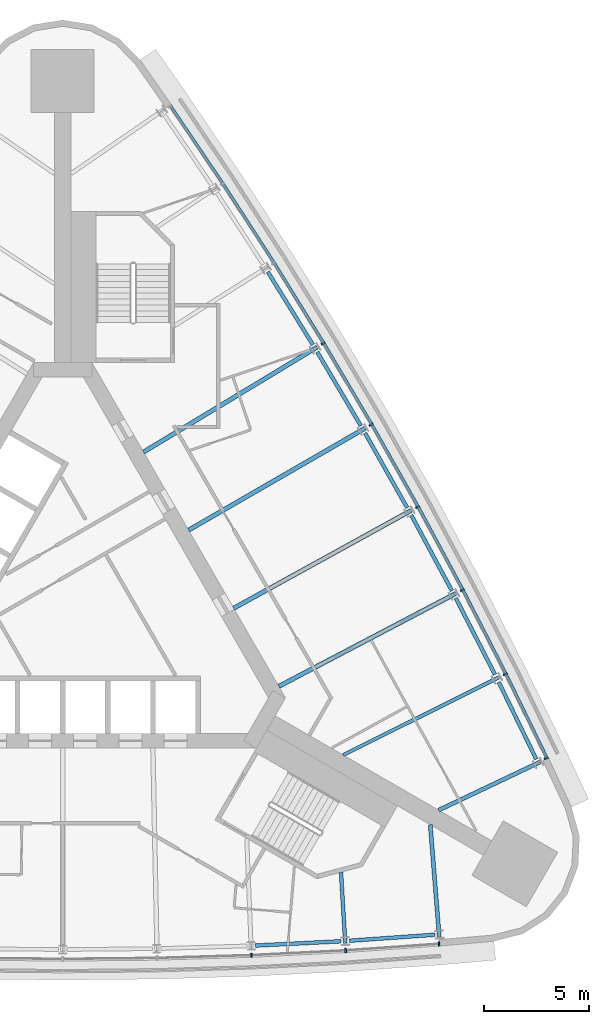
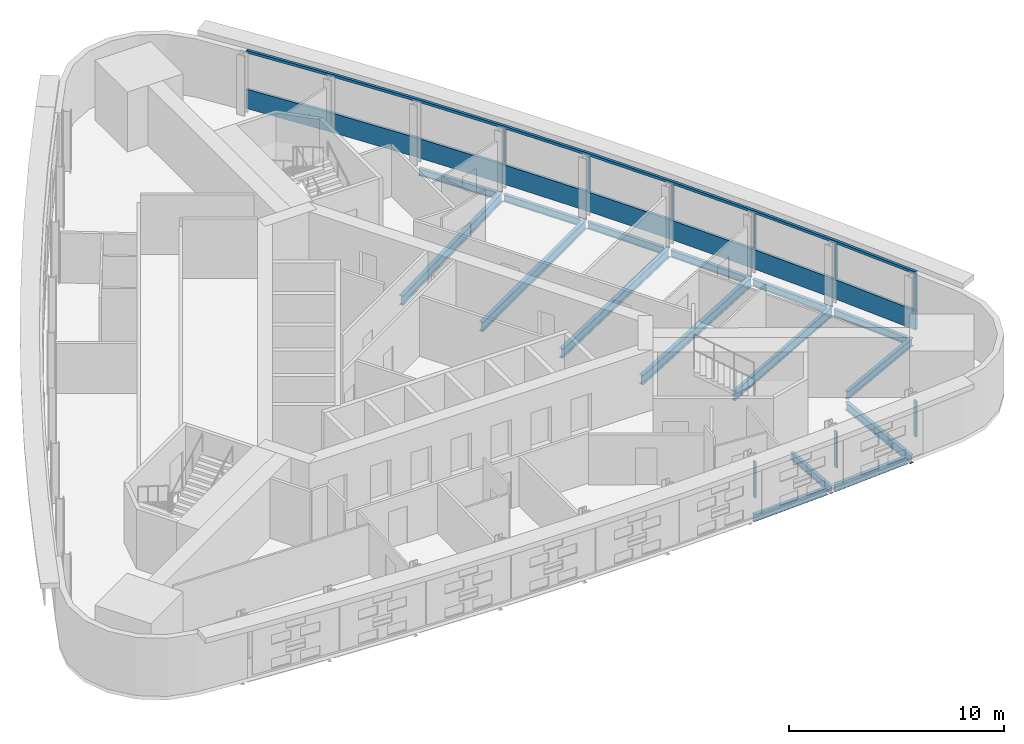
# One storey, part 4 of 11: 16 beams, 11 members, 2 elements without a shape of their own.
"""IFC4 building model written with IfcOpenShell, lengths in metres."""

from ifc_helpers import new_model, si_unit, direction, frame, origin, origin_2d, place, context, subcontext, project, spatial, polyline, rectangle, i_section, outline, extrude, material, material_profile, profile_set, type_object, element, aggregate, save


model = new_model("IFC4")

# Units and contexts
model_context = context("Model", 3, precision=1e-05, world=origin(), true_north=direction((0.0, 1.0)))
body_context = subcontext(model_context, "Body", "Model", "MODEL_VIEW")
ifc_project = project(units=[si_unit("LENGTHUNIT", "METRE"), si_unit("AREAUNIT", "SQUARE_METRE"), si_unit("VOLUMEUNIT", "CUBIC_METRE"), si_unit("PLANEANGLEUNIT", "RADIAN"), si_unit("MASSUNIT", "GRAM", prefix="KILO")], contexts=[model_context])

# Site, building, storey
site_placement = place(None, origin())
site = spatial("IfcSite", under=ifc_project, at=site_placement, CompositionType="ELEMENT")
building_placement = place(site_placement, origin())
building = spatial("IfcBuilding", under=site, at=building_placement, Name="Noor Cloister Tower", CompositionType="ELEMENT")
storey_placement = place(building_placement, frame((0.0, 0.0, 109.5)))
storey = spatial("IfcBuildingStorey", under=building, at=storey_placement, Name="L28", CompositionType="ELEMENT", Elevation=109.5)

# Curtain wall, member
ifc_material_1 = material(Name="Aluminium 6063-T6 anodised", Category="aluminium")
curtain_wall_type = type_object("IfcCurtainWallType", Name="Ribbon curtain wall, lower tower CW1", PredefinedType="NOTDEFINED", material=ifc_material_1)
curtain_wall_1_placement = place(storey_placement, origin())
curtain_wall_1 = element("IfcCurtainWall", 1, at=curtain_wall_1_placement, inside=storey, type_object=curtain_wall_type, Name="CW1 L28 NE run 3", PredefinedType="NOTDEFINED")
ifc_material_2 = material(Name="Aluminium 6063-T6 anodised", Category="aluminium")
member_type_1 = type_object("IfcMemberType", Name="Head transom CW1 150", PredefinedType="USERDEFINED", material=ifc_material_2)
member_1_placement = place(storey_placement, frame((0.0, 0.0, 3.14990234375)))
member_1 = element("IfcMember", 2, at=member_1_placement, type_object=member_type_1, Name="CW1 head transom", ObjectType="TRANSOM", PredefinedType="USERDEFINED", context=body_context, shape_type="SweptSolid", body=[
    extrude(outline(polyline([(23.151611328125, -7.395751953125), (21.180908203125, -3.350341796875), (19.129150390625, 0.65478515625), (16.99755859375, 4.617919921875), (14.786865234375, 8.537353515625), (12.498046875, 12.41162109375), (10.131591796875, 16.239013671875), (7.68896484375, 20.018310546875), (5.1708984375, 23.747802734375), (5.054931640625, 23.66943359375), (7.572265625, 19.941162109375), (10.013427734375, 16.164306640625), (12.378173828125, 12.339111328125), (14.665771484375, 8.46728515625), (16.875, 4.55029296875), (19.00537109375, 0.589599609375), (21.0556640625, -3.412841796875), (23.02587890625, -7.45703125), (23.151611328125, -7.395751953125)])), origin(), (0.0, 0.0, 1.0), 0.150146484375),
])

# Curtain wall, members
curtain_wall_2_placement = place(storey_placement, origin())
curtain_wall_2 = element("IfcCurtainWall", 3, at=curtain_wall_2_placement, inside=storey, type_object=curtain_wall_type, Name="CW1 L28 S run 2", PredefinedType="NOTDEFINED")
ifc_material_3 = material(Name="Aluminium 6063-T6 anodised", Category="aluminium")
ifc_material_profile_1 = material_profile(ifc_material_3, rectangle(XDim=0.199951171875, YDim=0.080078125, at=origin_2d()), Name="200 x 80 mullion")
ifc_profile_set_1 = profile_set([ifc_material_profile_1], Name="Aluminium 6063-T6 anodised")
member_type_2 = type_object("IfcMemberType", Name="Mullion CW1 80 x 200", PredefinedType="MULLION", material=ifc_profile_set_1)
member_2_placement = place(storey_placement, frame((8.99365234375, -16.7939453125, 1.10009765625), z_axis=(0.0, 0.0, 1.0), x_axis=(-0.04014673795, 0.999193794733, 0.0)))
member_2 = element("IfcMember", 4, at=member_2_placement, type_object=member_type_2, Name="CW1 mullion 7", PredefinedType="MULLION", context=body_context, shape_type="SweptSolid", body=[
    extrude(rectangle(XDim=0.199951171875, YDim=0.080078125, at=origin_2d()), origin(), (0.0, 0.0, 1.0), 2.0498046875),
])
member_3_placement = place(storey_placement, frame((13.48583984375, -16.568115234375, 1.10009765625), z_axis=(0.0, 0.0, 1.0), x_axis=(-0.06019986629, 0.998186343374, 0.0)))
member_3 = element("IfcMember", 5, at=member_3_placement, type_object=member_type_2, Name="CW1 mullion 8", PredefinedType="MULLION", context=body_context, shape_type="SweptSolid", body=[
    extrude(rectangle(XDim=0.199951171875, YDim=0.080078125, at=origin_2d()), origin(), (0.0, 0.0, 1.0), 2.0498046875),
])
member_4_placement = place(storey_placement, frame((17.933837890625, -16.255126953125, 1.10009765625), z_axis=(0.0, 0.0, 1.0), x_axis=(-0.070217834452, 0.997531681565, 0.0)))
member_4 = element("IfcMember", 6, at=member_4_placement, type_object=member_type_2, Name="CW1 mullion 9", PredefinedType="MULLION", context=body_context, shape_type="SweptSolid", body=[
    extrude(rectangle(XDim=0.199951171875, YDim=0.080078125, at=origin_2d()), origin(), (0.0, 0.0, 1.0), 2.0498046875),
])
aggregate(curtain_wall_2, [member_2, member_3, member_4])

# Member
member_5_placement = place(storey_placement, frame((23.044189453125, -7.403564453125, 1.10009765625), z_axis=(0.0, 0.0, 1.0), x_axis=(-0.89899669454, -0.437955412348, 0.0)))
member_5 = element("IfcMember", 7, at=member_5_placement, type_object=member_type_2, Name="CW1 mullion 1", PredefinedType="MULLION", context=body_context, shape_type="SweptSolid", body=[
    extrude(rectangle(XDim=0.199951171875, YDim=0.080078125, at=origin_2d()), origin(), (0.0, 0.0, 1.0), 2.0498046875),
])

member_6_placement = place(storey_placement, frame((21.09130859375, -3.39501953125, 1.10009765625), z_axis=(0.0, 0.0, 1.0), x_axis=(-0.894554664218, -0.446958558176, 0.0)))
member_6 = element("IfcMember", 8, at=member_6_placement, type_object=member_type_2, Name="CW1 mullion 2", PredefinedType="MULLION", context=body_context, shape_type="SweptSolid", body=[
    extrude(rectangle(XDim=0.199951171875, YDim=0.080078125, at=origin_2d()), origin(), (0.0, 0.0, 1.0), 2.0498046875),
])

member_7_placement = place(storey_placement, frame((19.040771484375, 0.6083984375, 1.10009765625), z_axis=(0.0, 0.0, 1.0), x_axis=(-0.885400578517, -0.464828802423, 0.0)))
member_7 = element("IfcMember", 9, at=member_7_placement, type_object=member_type_2, Name="CW1 mullion 3", PredefinedType="MULLION", context=body_context, shape_type="SweptSolid", body=[
    extrude(rectangle(XDim=0.199951171875, YDim=0.080078125, at=origin_2d()), origin(), (0.0, 0.0, 1.0), 2.0498046875),
])

member_8_placement = place(storey_placement, frame((16.91015625, 4.569580078125, 1.10009765625), z_axis=(0.0, 0.0, 1.0), x_axis=(-0.875889541426, -0.482511669518, 0.0)))
member_8 = element("IfcMember", 10, at=member_8_placement, type_object=member_type_2, Name="CW1 mullion 4", PredefinedType="MULLION", context=body_context, shape_type="SweptSolid", body=[
    extrude(rectangle(XDim=0.199951171875, YDim=0.080078125, at=origin_2d()), origin(), (0.0, 0.0, 1.0), 2.0498046875),
])

member_9_placement = place(storey_placement, frame((14.700439453125, 8.4873046875, 1.10009765625), z_axis=(0.0, 0.0, 1.0), x_axis=(-0.866025403784, -0.5, 0.0)))
member_9 = element("IfcMember", 11, at=member_9_placement, type_object=member_type_2, Name="CW1 mullion 5", PredefinedType="MULLION", context=body_context, shape_type="SweptSolid", body=[
    extrude(rectangle(XDim=0.199951171875, YDim=0.080078125, at=origin_2d()), origin(), (0.0, 0.0, 1.0), 2.0498046875),
])

member_10_placement = place(storey_placement, frame((12.412353515625, 12.35986328125, 1.10009765625), z_axis=(0.0, 0.0, 1.0), x_axis=(-0.855812134138, -0.517286759025, 0.0)))
member_10 = element("IfcMember", 12, at=member_10_placement, type_object=member_type_2, Name="CW1 mullion 6", PredefinedType="MULLION", context=body_context, shape_type="SweptSolid", body=[
    extrude(rectangle(XDim=0.199951171875, YDim=0.080078125, at=origin_2d()), origin(), (0.0, 0.0, 1.0), 2.0498046875),
])

# Beams
ifc_material_4 = material(Name="Steel ASTM A992 Gr 50", Category="steel")
ifc_material_profile_2 = material_profile(ifc_material_4, i_section(OverallWidth=0.177978515625, OverallDepth=0.406005859375, WebThickness=0.0078125, FlangeThickness=0.0126953125, FilletRadius=0.01025390625, at=origin_2d()), Name="W410x60")
ifc_profile_set_2 = profile_set([ifc_material_profile_2], Name="Steel ASTM A992 Gr 50")
beam_type_1 = type_object("IfcBeamType", Name="Radial beam W410x60", PredefinedType="BEAM", material=ifc_profile_set_2)
beam_1_placement = place(storey_placement, frame((13.46484375, -16.21923828125, -0.403076171875), z_axis=(-0.060196861766, 0.99818652457, 0.0), x_axis=(-0.99818652457, -0.060196861766, 0.0)))
element("IfcBeam", 13, at=beam_1_placement, inside=storey, type_object=beam_type_1, Name="Radial beam S 08 L28", PredefinedType="BEAM", context=body_context, shape_type="SweptSolid", body=[
    extrude(i_section(OverallWidth=0.177978515625, OverallDepth=0.406005859375, WebThickness=0.0078125, FlangeThickness=0.0126953125, FilletRadius=0.01025390625, at=origin_2d()), origin(), (0.0, 0.0, 1.0), 3.386474609375),
])
ifc_material_5 = material(Name="Steel ASTM A992 Gr 50", Category="steel")
ifc_material_profile_3 = material_profile(ifc_material_5, i_section(OverallWidth=0.19091796875, OverallDepth=0.45703125, WebThickness=0.009033203125, FlangeThickness=0.014404296875, FilletRadius=0.01025390625, at=origin_2d()), Name="W460x74")
ifc_profile_set_3 = profile_set([ifc_material_profile_3], Name="Steel ASTM A992 Gr 50")
beam_type_2 = type_object("IfcBeamType", Name="Radial beam W460x74", PredefinedType="BEAM", material=ifc_profile_set_3)
for number, where, z_axis, x_axis, name in (
    (14, (17.944580078125, -15.904052734375, -0.428466796875), (-0.080226140239, 0.996776688342, 0.0), (-0.996776688342, -0.080226140239, 0.0), "Radial beam S 09 L28"),
    (15, (22.74560546875, -7.58837890625, -0.428466796875), (-0.903337661444, -0.428930145148, 0.0), (0.428930145148, -0.903337661444, 0.0), "Radial beam NE 01 L28"),
):
    element("IfcBeam", number, at=place(storey_placement, frame(where, z_axis=z_axis, x_axis=x_axis)), inside=storey, type_object=beam_type_2, Name=name, PredefinedType="BEAM", context=body_context, shape_type="SweptSolid", body=[
        extrude(i_section(OverallWidth=0.19091796875, OverallDepth=0.45703125, WebThickness=0.009033203125, FlangeThickness=0.014404296875, FilletRadius=0.01025390625, at=origin_2d()), origin(), (0.0, 0.0, 1.0), 5.346923828125),
    ])
ifc_material_6 = material(Name="Steel ASTM A992 Gr 50", Category="steel")
ifc_material_profile_4 = material_profile(ifc_material_6, i_section(OverallWidth=0.166015625, OverallDepth=0.528076171875, WebThickness=0.009765625, FlangeThickness=0.013671875, FilletRadius=0.0126953125, at=origin_2d()), Name="W530x74")
ifc_profile_set_4 = profile_set([ifc_material_profile_4], Name="Steel ASTM A992 Gr 50")
beam_type_3 = type_object("IfcBeamType", Name="Radial beam W530x74", PredefinedType="BEAM", material=ifc_profile_set_4)
beam_2_placement = place(storey_placement, frame((20.77880859375, -3.55126953125, -0.464111328125), z_axis=(-0.894562676337, -0.44694252215, 0.0), x_axis=(0.44694252215, -0.894562676337, 0.0)))
element("IfcBeam", 16, at=beam_2_placement, inside=storey, type_object=beam_type_3, Name="Radial beam NE 02 L28", PredefinedType="BEAM", context=body_context, shape_type="SweptSolid", body=[
    extrude(i_section(OverallWidth=0.166015625, OverallDepth=0.528076171875, WebThickness=0.009765625, FlangeThickness=0.013671875, FilletRadius=0.0126953125, at=origin_2d()), origin(), (0.0, 0.0, 1.0), 8.28662109375),
])
ifc_material_7 = material(Name="Steel ASTM A992 Gr 50", Category="steel")
ifc_material_profile_5 = material_profile(ifc_material_7, i_section(OverallWidth=0.208984375, OverallDepth=0.532958984375, WebThickness=0.01025390625, FlangeThickness=0.015625, FilletRadius=0.0126953125, at=origin_2d()), Name="W530x92")
ifc_profile_set_5 = profile_set([ifc_material_profile_5], Name="Steel ASTM A992 Gr 50")
beam_type_4 = type_object("IfcBeamType", Name="Radial beam W530x92", PredefinedType="BEAM", material=ifc_profile_set_5)
beam_3_placement = place(storey_placement, frame((18.731201171875, 0.44580078125, -0.466552734375), z_axis=(-0.885403177812, -0.464823851282, 0.0), x_axis=(0.464823851282, -0.885403177812, 0.0)))
element("IfcBeam", 17, at=beam_3_placement, inside=storey, type_object=beam_type_4, Name="Radial beam NE 03 L28", PredefinedType="BEAM", context=body_context, shape_type="SweptSolid", body=[
    extrude(i_section(OverallWidth=0.208984375, OverallDepth=0.532958984375, WebThickness=0.01025390625, FlangeThickness=0.015625, FilletRadius=0.0126953125, at=origin_2d()), origin(), (0.0, 0.0, 1.0), 9.52392578125),
])
beam_4_placement = place(storey_placement, frame((16.60400390625, 4.40087890625, -0.466552734375), z_axis=(-0.875892135721, -0.482506960138, 0.0), x_axis=(0.482506960138, -0.875892135721, 0.0)))
element("IfcBeam", 18, at=beam_4_placement, inside=storey, type_object=beam_type_4, Name="Radial beam NE 04 L28", PredefinedType="BEAM", context=body_context, shape_type="SweptSolid", body=[
    extrude(i_section(OverallWidth=0.208984375, OverallDepth=0.532958984375, WebThickness=0.01025390625, FlangeThickness=0.015625, FilletRadius=0.0126953125, at=origin_2d()), origin(), (0.0, 0.0, 1.0), 9.653564453125),
])
beam_5_placement = place(storey_placement, frame((14.397705078125, 8.3125, -0.466552734375), z_axis=(-0.866026681613, -0.49999778673, 0.0), x_axis=(0.49999778673, -0.866026681613, 0.0)))
element("IfcBeam", 19, at=beam_5_placement, inside=storey, type_object=beam_type_4, Name="Radial beam NE 05 L28", PredefinedType="BEAM", context=body_context, shape_type="SweptSolid", body=[
    extrude(i_section(OverallWidth=0.208984375, OverallDepth=0.532958984375, WebThickness=0.01025390625, FlangeThickness=0.015625, FilletRadius=0.0126953125, at=origin_2d()), origin(), (0.0, 0.0, 1.0), 9.69677734375),
])
beam_6_placement = place(storey_placement, frame((12.11328125, 12.178955078125, -0.466552734375), z_axis=(-0.855814783714, -0.517282375475, 0.0), x_axis=(0.517282375475, -0.855814783714, 0.0)))
element("IfcBeam", 20, at=beam_6_placement, inside=storey, type_object=beam_type_4, Name="Radial beam NE 06 L28", PredefinedType="BEAM", context=body_context, shape_type="SweptSolid", body=[
    extrude(i_section(OverallWidth=0.208984375, OverallDepth=0.532958984375, WebThickness=0.01025390625, FlangeThickness=0.015625, FilletRadius=0.0126953125, at=origin_2d()), origin(), (0.0, 0.0, 1.0), 9.653564453125),
])

# Member
ifc_material_8 = material(Name="Aluminium 6063-T6 anodised", Category="aluminium")
member_type_3 = type_object("IfcMemberType", Name="Sill transom CW1 1100", PredefinedType="USERDEFINED", material=ifc_material_8)
member_11_placement = place(storey_placement, origin())
member_11 = element("IfcMember", 21, at=member_11_placement, type_object=member_type_3, Name="CW1 sill transom", ObjectType="TRANSOM", PredefinedType="USERDEFINED", context=body_context, shape_type="SweptSolid", body=[
    extrude(outline(polyline([(23.151611328125, -7.395751953125), (21.180908203125, -3.350341796875), (19.129150390625, 0.65478515625), (16.99755859375, 4.617919921875), (14.786865234375, 8.537353515625), (12.498046875, 12.41162109375), (10.131591796875, 16.239013671875), (7.68896484375, 20.018310546875), (5.1708984375, 23.747802734375), (5.054931640625, 23.66943359375), (7.572265625, 19.941162109375), (10.013427734375, 16.164306640625), (12.378173828125, 12.339111328125), (14.665771484375, 8.46728515625), (16.875, 4.55029296875), (19.00537109375, 0.589599609375), (21.0556640625, -3.412841796875), (23.02587890625, -7.45703125), (23.151611328125, -7.395751953125)])), origin(), (0.0, 0.0, 1.0), 1.10009765625),
])

aggregate(curtain_wall_1, [member_5, member_6, member_7, member_8, member_9, member_10, member_11, member_1])

# Beams
ifc_material_9 = material(Name="Steel ASTM A992 Gr 50", Category="steel")
ifc_material_profile_6 = material_profile(ifc_material_9, i_section(OverallWidth=0.177978515625, OverallDepth=0.406005859375, WebThickness=0.0078125, FlangeThickness=0.0126953125, FilletRadius=0.01025390625, at=origin_2d()), Name="W410x60")
ifc_profile_set_6 = profile_set([ifc_material_profile_6], Name="Steel ASTM A992 Gr 50")
beam_type_5 = type_object("IfcBeamType", Name="Spandrel beam W410x60", PredefinedType="SPANDREL", material=ifc_profile_set_6)
for number, where, z_axis, x_axis, name in (
    (22, (9.17578125, -16.334228515625, -0.403076171875), (0.998740844614, 0.050166974196, 0.0), (-0.050166974196, 0.998740844614, 0.0), "Spandrel beam S 07 L28"),
    (23, (13.65869140625, -16.10498046875, -0.403076171875), (0.997530638237, 0.070232654647, 0.0), (-0.070232654647, 0.997530638237, 0.0), "Spandrel beam S 08 L28"),
    (24, (22.56689453125, -7.451416015625, -0.403076171875), (-0.437944670986, 0.899001927226, 0.0), (-0.899001927226, -0.437944670986, 0.0), "Spandrel beam NE 01 L28"),
    (25, (20.597412109375, -3.417724609375, -0.403076171875), (-0.455911640241, 0.890025042509, 0.0), (-0.890025042509, -0.455911640241, 0.0), "Spandrel beam NE 02 L28"),
    (26, (18.54736328125, 0.57568359375, -0.403076171875), (-0.473722264801, 0.880674296112, 0.0), (-0.880674296112, -0.473722264801, 0.0), "Spandrel beam NE 03 L28"),
    (27, (16.41748046875, 4.527099609375, -0.403076171875), (-0.491281688798, 0.871000747561, 0.0), (-0.871000747561, -0.491281688798, 0.0), "Spandrel beam NE 04 L28"),
    (28, (14.208740234375, 8.434814453125, -0.403076171875), (-0.508705167369, 0.860940795115, 0.0), (-0.860940795115, -0.508705167369, 0.0), "Spandrel beam NE 05 L28"),
    (29, (11.921875, 12.297607421875, -0.403076171875), (-0.525859022029, 0.850571742389, 0.0), (-0.850571742389, -0.525859022029, 0.0), "Spandrel beam NE 06 L28"),
):
    element("IfcBeam", number, at=place(storey_placement, frame(where, z_axis=z_axis, x_axis=x_axis)), inside=storey, type_object=beam_type_5, Name=name, PredefinedType="SPANDREL", context=body_context, shape_type="SweptSolid", body=[
        extrude(i_section(OverallWidth=0.177978515625, OverallDepth=0.406005859375, WebThickness=0.0078125, FlangeThickness=0.0126953125, FilletRadius=0.01025390625, at=origin_2d()), origin(), (0.0, 0.0, 1.0), 4.087890625),
    ])

save(model, "model.ifc")
